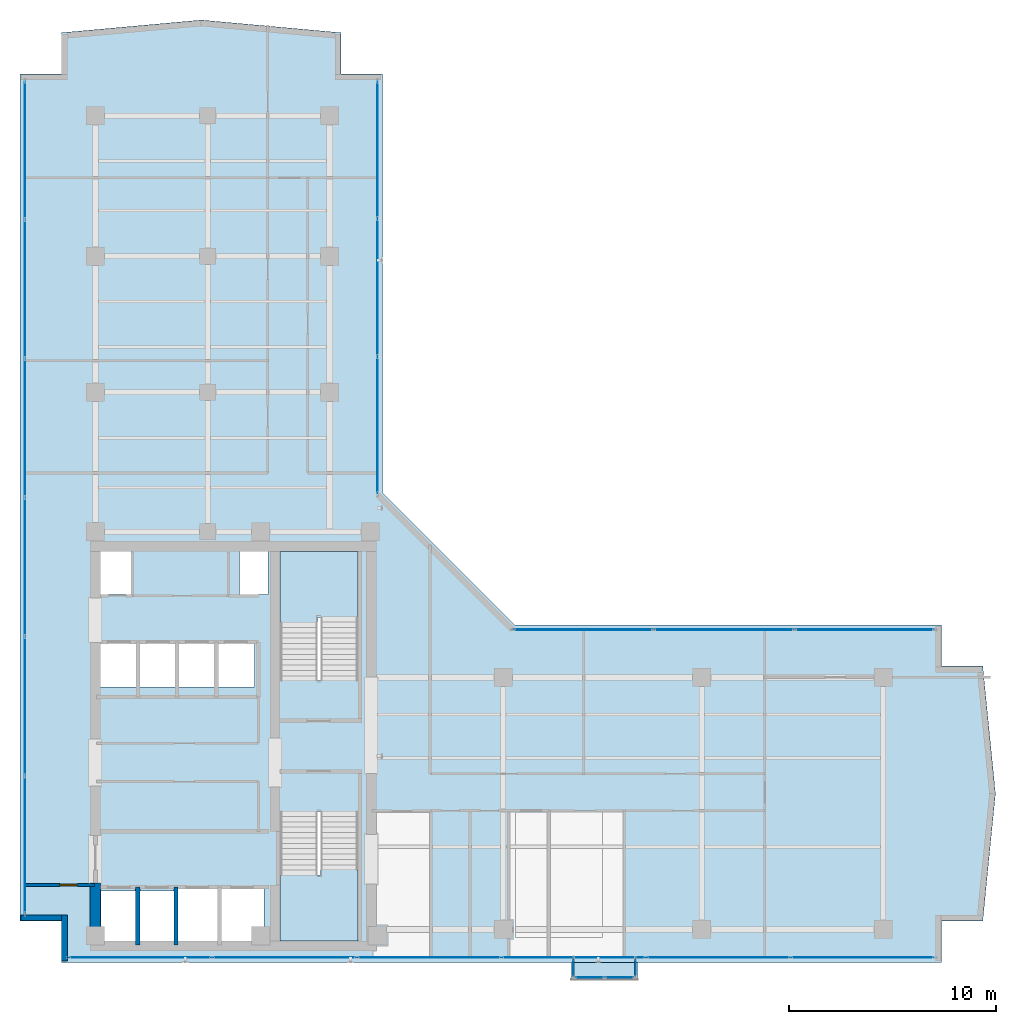
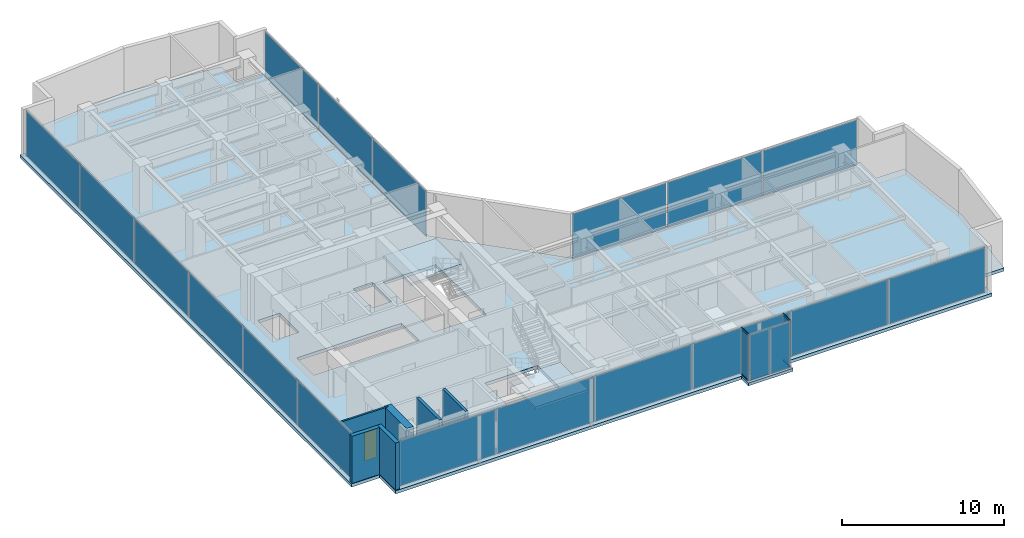
# One storey, part 16 of 22: 22 plates, 6 walls, 4 members, 4 slabs, 1 door, 1 opening, 9 elements without a shape of their own.
"""IFC4 building model written with IfcOpenShell, lengths in metres."""

from ifc_helpers import new_model, si_unit, direction, frame, frame_2d, origin, origin_with_axes, origin_2d, place, context, subcontext, project, spatial, polyline, rectangle, hollow_rectangle, outline, extrude, source, transform, mapped, material, layer, layer_set, material_profile, profile_set, type_object, element, fill, aggregate, save


model = new_model("IFC4")

# Units and contexts
model_context = context("Model", 3, precision=1e-05, world=origin(), true_north=direction((0.0, 1.0)))
body_context = subcontext(model_context, "Body", "Model", "MODEL_VIEW")
ifc_project = project(units=[si_unit("LENGTHUNIT", "METRE"), si_unit("AREAUNIT", "SQUARE_METRE"), si_unit("VOLUMEUNIT", "CUBIC_METRE"), si_unit("PLANEANGLEUNIT", "RADIAN"), si_unit("MASSUNIT", "GRAM", prefix="KILO")], contexts=[model_context])

# Site, building, storey
site_placement = place(None, origin())
site = spatial("IfcSite", under=ifc_project, at=site_placement, CompositionType="ELEMENT")
building_placement = place(site_placement, origin())
building = spatial("IfcBuilding", under=site, at=building_placement, Name="Kolvaren Waterfront Exchange", CompositionType="ELEMENT")
storey_placement = place(building_placement, frame((0.0, 0.0, 281.800048828125)))
storey = spatial("IfcBuildingStorey", under=building, at=storey_placement, Name="L72", CompositionType="ELEMENT", Elevation=281.800048828125)

# Curtain wall, members
ifc_material_1 = material(Name="Anodised bronze aluminium 6063-T6", Category="aluminium")
ifc_layer_1 = layer(ifc_material_1, 0.219970703125, Name="Anodised bronze aluminium 6063-T6")
ifc_layer_set_1 = layer_set([ifc_layer_1], Name="Anodised bronze aluminium 6063-T6")
curtain_wall_type_1 = type_object("IfcCurtainWallType", Name="ARC-CW-SYS3", PredefinedType="USERDEFINED", material=ifc_layer_set_1)
curtain_wall_1_placement = place(storey_placement, origin())
curtain_wall_1 = element("IfcCurtainWall", 1, at=curtain_wall_1_placement, inside=storey, type_object=curtain_wall_type_1, Name="L72 stick curtain wall CW3 (CW-L72-BOX-W)", ObjectType="STICK CURTAIN WALL", PredefinedType="USERDEFINED")
ifc_material_profile = material_profile(ifc_material_1, hollow_rectangle(XDim=0.06494140625, YDim=0.1298828125, WallThickness=0.00390625, at=origin_2d()), Name="ALU-TRN-130x65x4")
ifc_profile_set = profile_set([ifc_material_profile], Name="Anodised bronze aluminium 6063-T6")
member_type = type_object("IfcMemberType", Name="ARC-CWT-130", PredefinedType="USERDEFINED", material=ifc_profile_set)
shared_shape_1 = source(origin_with_axes(), body_context, "Body", "SweptSolid", [
    extrude(hollow_rectangle(XDim=0.06494140625, YDim=0.1298828125, WallThickness=0.00390625, at=origin_2d()), origin(), (0.0, 0.0, 1.0), 0.829833984375),
])
member_1_placement = place(storey_placement, frame((30.610107421875, 3.764892578125, 0.032470703125), z_axis=(0.0, -1.0, 0.0), x_axis=(1.0, 0.0, 0.0)))
member_1 = element("IfcMember", 2, at=member_1_placement, type_object=member_type, Name="CW3 transom 1.1", ObjectType="TRANSOM", PredefinedType="USERDEFINED", context=body_context, shape_type="MappedRepresentation", body=[
    mapped(shared_shape_1, transform((0.0, 0.0, 0.0), x_axis=(1.0, 0.0, 0.0), y_axis=(0.0, 1.0, 0.0), z_axis=(0.0, 0.0, 1.0), scale=1.0)),
])
member_2_placement = place(storey_placement, frame((30.610107421875, 3.764892578125, 3.52734375), z_axis=(0.0, -1.0, 0.0), x_axis=(1.0, 0.0, 0.0)))
member_2 = element("IfcMember", 3, at=member_2_placement, type_object=member_type, Name="CW3 transom 1.2", ObjectType="TRANSOM", PredefinedType="USERDEFINED", context=body_context, shape_type="MappedRepresentation", body=[
    mapped(shared_shape_1, transform((0.0, 0.0, 0.0), x_axis=(1.0, 0.0, 0.0), y_axis=(0.0, 1.0, 0.0), z_axis=(0.0, 0.0, 1.0), scale=1.0)),
])

curtain_wall_2_placement = place(storey_placement, origin())
curtain_wall_2 = element("IfcCurtainWall", 4, at=curtain_wall_2_placement, inside=storey, type_object=curtain_wall_type_1, Name="L72 stick curtain wall CW3 (CW-L72-BOX-E)", ObjectType="STICK CURTAIN WALL", PredefinedType="USERDEFINED")
member_3_placement = place(storey_placement, frame((33.590087890625, 2.93505859375, 0.032470703125), z_axis=(0.0, 1.0, 0.0), x_axis=(-1.0, 0.0, 0.0)))
member_3 = element("IfcMember", 5, at=member_3_placement, type_object=member_type, Name="CW3 transom 1.1", ObjectType="TRANSOM", PredefinedType="USERDEFINED", context=body_context, shape_type="MappedRepresentation", body=[
    mapped(shared_shape_1, transform((0.0, 0.0, 0.0), x_axis=(1.0, 0.0, 0.0), y_axis=(0.0, 1.0, 0.0), z_axis=(0.0, 0.0, 1.0), scale=1.0)),
])
member_4_placement = place(storey_placement, frame((33.590087890625, 2.93505859375, 3.52734375), z_axis=(0.0, 1.0, 0.0), x_axis=(-1.0, 0.0, 0.0)))
member_4 = element("IfcMember", 6, at=member_4_placement, type_object=member_type, Name="CW3 transom 1.2", ObjectType="TRANSOM", PredefinedType="USERDEFINED", context=body_context, shape_type="MappedRepresentation", body=[
    mapped(shared_shape_1, transform((0.0, 0.0, 0.0), x_axis=(1.0, 0.0, 0.0), y_axis=(0.0, 1.0, 0.0), z_axis=(0.0, 0.0, 1.0), scale=1.0)),
])

# Stair, slab
ifc_material_2 = material(Name="Concrete C40/50", Category="concrete")
stair_type = type_object("IfcStairType", Name="ARC-STAIR-3800", PredefinedType="HALF_TURN_STAIR", material=ifc_material_2)
stair_1_placement = place(storey_placement, origin())
stair_1 = element("IfcStair", 7, at=stair_1_placement, inside=storey, type_object=stair_type, Name="L72 Smoke-proof exit stair ST1", PredefinedType="HALF_TURN_STAIR")
ifc_layer_2 = layer(ifc_material_2, 0.199951171875, Name="Concrete C40/50")
ifc_layer_set_2 = layer_set([ifc_layer_2], Name="Concrete C40/50")
slab_type_1 = type_object("IfcSlabType", Name="STR-LANDING-200", PredefinedType="LANDING", material=ifc_layer_set_2)
slab_1_placement = place(storey_placement, frame((0.0, 0.0, 1.77587890625)))
slab_1 = element("IfcSlab", 8, at=slab_1_placement, type_object=slab_type_1, Name="ST1 landing 1", PredefinedType="LANDING", context=body_context, shape_type="SweptSolid", body=[
    extrude(outline(polyline([(16.39990234375, 7.840087890625), (16.39990234375, 4.64990234375), (20.159912109375, 4.64990234375), (20.159912109375, 8.10009765625), (18.360107421875, 8.10009765625), (18.360107421875, 7.840087890625), (16.39990234375, 7.840087890625)])), origin(), (0.0, 0.0, 1.0), 0.199951171875),
])
aggregate(stair_1, [slab_1])

stair_2_placement = place(storey_placement, origin())
stair_2 = element("IfcStair", 9, at=stair_2_placement, inside=storey, type_object=stair_type, Name="L72 Smoke-proof exit stair ST2", PredefinedType="HALF_TURN_STAIR")
slab_2_placement = place(storey_placement, frame((0.0, 0.0, 1.77587890625)))
slab_2 = element("IfcSlab", 10, at=slab_2_placement, type_object=slab_type_1, Name="ST2 landing 1", PredefinedType="LANDING", context=body_context, shape_type="SweptSolid", body=[
    extrude(outline(polyline([(20.159912109375, 20.31005859375), (20.159912109375, 23.5), (16.39990234375, 23.5), (16.39990234375, 20.050048828125), (18.199951171875, 20.050048828125), (18.199951171875, 20.31005859375), (20.159912109375, 20.31005859375)])), origin(), (0.0, 0.0, 1.0), 0.199951171875),
])
aggregate(stair_2, [slab_2])

# Slabs
ifc_layer_3 = layer(ifc_material_2, 0.239990234375, Name="Concrete C40/50")
ifc_layer_set_3 = layer_set([ifc_layer_3], Name="Concrete C40/50")
slab_type_2 = type_object("IfcSlabType", Name="STR-SLAB-240", PredefinedType="FLOOR", material=ifc_layer_set_3)
slab_3_placement = place(storey_placement, frame((0.0, 0.0, -0.239990234375)))
element("IfcSlab", 11, at=slab_3_placement, inside=storey, type_object=slab_type_2, Name="L72 structural floor slab", PredefinedType="FLOOR", context=body_context, shape_type="SweptSolid", body=[
    extrude(outline(polyline([(5.800048828125, 3.60009765625), (48.415771484375, 3.60009765625), (48.415771484375, 5.60009765625), (50.415771484375, 5.60009765625), (51.031494140625, 11.773681640625), (50.415771484375, 17.947509765625), (48.415771484375, 17.947509765625), (48.415771484375, 19.947509765625), (27.747314453125, 19.947509765625), (21.347412109375, 26.347412109375), (21.347412109375, 46.61572265625), (19.347412109375, 46.61572265625), (19.347412109375, 48.61572265625), (12.57373046875, 49.231689453125), (5.800048828125, 48.61572265625), (5.800048828125, 46.61572265625), (3.800048828125, 46.61572265625), (3.800048828125, 5.60009765625), (5.800048828125, 5.60009765625), (5.800048828125, 3.60009765625)]), holes=[polyline([(11.320068359375, 7.260009765625), (15.610107421875, 7.260009765625), (15.610107421875, 4.5400390625), (7.719970703125, 4.5400390625), (7.719970703125, 7.06005859375), (11.320068359375, 7.06005859375), (11.320068359375, 7.260009765625)]), polyline([(20.159912109375, 10.89990234375), (20.159912109375, 4.64990234375), (16.39990234375, 4.64990234375), (16.39990234375, 10.89990234375), (20.159912109375, 10.89990234375)]), polyline([(7.669921875, 19.06005859375), (15.159912109375, 19.06005859375), (15.159912109375, 16.93994140625), (7.669921875, 16.93994140625), (7.669921875, 19.06005859375)]), polyline([(16.39990234375, 17.25), (16.39990234375, 23.5), (20.159912109375, 23.5), (20.159912109375, 17.25), (16.39990234375, 17.25)]), polyline([(7.60009765625, 23.780029296875), (9.179931640625, 23.780029296875), (9.179931640625, 21.419921875), (7.60009765625, 21.419921875), (7.60009765625, 23.780029296875)]), polyline([(14.419921875, 23.780029296875), (15.800048828125, 23.780029296875), (15.800048828125, 21.419921875), (14.419921875, 21.419921875), (14.419921875, 23.780029296875)])]), origin(), (0.0, 0.0, 1.0), 0.239990234375),
])
ifc_layer_4 = layer(ifc_material_2, 0.219970703125, Name="Concrete C40/50")
ifc_layer_set_4 = layer_set([ifc_layer_4], Name="Concrete C40/50")
slab_type_3 = type_object("IfcSlabType", Name="STR-TERR-220", PredefinedType="FLOOR", material=ifc_layer_set_4)
slab_4_placement = place(storey_placement, frame((0.0, 0.0, -0.219970703125)))
element("IfcSlab", 12, at=slab_4_placement, inside=storey, type_object=slab_type_3, Name="L72 projecting bay-box floor strip", PredefinedType="FLOOR", context=body_context, shape_type="SweptSolid", body=[
    extrude(outline(polyline([(30.5, 2.75), (33.699951171875, 2.75), (33.699951171875, 3.60009765625), (30.5, 3.60009765625), (30.5, 2.75)])), origin(), (0.0, 0.0, 1.0), 0.219970703125),
])

# Plate
ifc_material_3 = material(Name="Bronze tinted bay-box vision glass", Category="aluminium")
ifc_layer_5 = layer(ifc_material_3, 0.02392578125, Name="Bronze tinted bay-box vision glass")
ifc_layer_set_5 = layer_set([ifc_layer_5], Name="Bronze tinted bay-box vision glass")
plate_type_1 = type_object("IfcPlateType", Name="ARC-CWP-24", PredefinedType="CURTAIN_PANEL", material=ifc_layer_set_5)
shared_shape_2 = source(origin_with_axes(), body_context, "Body", "SweptSolid", [
    extrude(rectangle(XDim=0.830078125, YDim=0.02392578125, at=origin_2d()), origin(), (0.0, 0.0, 1.0), 3.429931640625),
])
plate_1_placement = place(storey_placement, frame((30.610107421875, 3.35009765625, 0.06494140625), z_axis=(0.0, 0.0, 1.0), x_axis=(0.0, -1.0, 0.0)))
plate_1 = element("IfcPlate", 13, at=plate_1_placement, type_object=plate_type_1, Name="CW3 panel 1.1", PredefinedType="CURTAIN_PANEL", context=body_context, shape_type="MappedRepresentation", body=[
    mapped(shared_shape_2, transform((0.0, 0.0, 0.0), x_axis=(1.0, 0.0, 0.0), y_axis=(0.0, 1.0, 0.0), z_axis=(0.0, 0.0, 1.0), scale=1.0)),
])

aggregate(curtain_wall_1, [member_1, member_2, plate_1])

plate_2_placement = place(storey_placement, frame((33.590087890625, 3.35009765625, 0.06494140625), z_axis=(0.0, 0.0, 1.0), x_axis=(0.0, 1.0, 0.0)))
plate_2 = element("IfcPlate", 14, at=plate_2_placement, type_object=plate_type_1, Name="CW3 panel 1.1", PredefinedType="CURTAIN_PANEL", context=body_context, shape_type="MappedRepresentation", body=[
    mapped(shared_shape_2, transform((0.0, 0.0, 0.0), x_axis=(1.0, 0.0, 0.0), y_axis=(0.0, 1.0, 0.0), z_axis=(0.0, 0.0, 1.0), scale=1.0)),
])

aggregate(curtain_wall_2, [member_3, member_4, plate_2])

# Curtain wall, plates
curtain_wall_3_placement = place(storey_placement, origin())
curtain_wall_3 = element("IfcCurtainWall", 15, at=curtain_wall_3_placement, inside=storey, type_object=curtain_wall_type_1, Name="L72 stick curtain wall CW3 (CW-L72-BOX)", ObjectType="STICK CURTAIN WALL", PredefinedType="USERDEFINED")
shared_shape_3 = source(origin_with_axes(), body_context, "Body", "SweptSolid", [
    extrude(rectangle(XDim=1.37744140625, YDim=0.02392578125, at=origin_2d()), origin(), (0.0, 0.0, 1.0), 3.429931640625),
])
plate_3_placement = place(storey_placement, frame((31.373779296875, 2.860107421875, 0.06494140625), z_axis=(0.0, 0.0, 1.0), x_axis=(1.0, 0.0, 0.0)))
plate_3 = element("IfcPlate", 16, at=plate_3_placement, type_object=plate_type_1, Name="CW3 panel 1.1", PredefinedType="CURTAIN_PANEL", context=body_context, shape_type="MappedRepresentation", body=[
    mapped(shared_shape_3, transform((0.0, 0.0, 0.0), x_axis=(1.0, 0.0, 0.0), y_axis=(0.0, 1.0, 0.0), z_axis=(0.0, 0.0, 1.0), scale=1.0)),
])
plate_4_placement = place(storey_placement, frame((32.826171875, 2.860107421875, 0.06494140625), z_axis=(0.0, 0.0, 1.0), x_axis=(1.0, 0.0, 0.0)))
plate_4 = element("IfcPlate", 17, at=plate_4_placement, type_object=plate_type_1, Name="CW3 panel 2.1", PredefinedType="CURTAIN_PANEL", context=body_context, shape_type="MappedRepresentation", body=[
    mapped(shared_shape_3, transform((0.0, 0.0, 0.0), x_axis=(1.0, 0.0, 0.0), y_axis=(0.0, 1.0, 0.0), z_axis=(0.0, 0.0, 1.0), scale=1.0)),
])
aggregate(curtain_wall_3, [plate_3, plate_4])

ifc_layer_6 = layer(ifc_material_1, 0.219970703125, Name="Anodised bronze aluminium 6063-T6")
ifc_layer_set_6 = layer_set([ifc_layer_6], Name="Anodised bronze aluminium 6063-T6")
curtain_wall_type_2 = type_object("IfcCurtainWallType", Name="ARC-CW-SYS1", PredefinedType="USERDEFINED", material=ifc_layer_set_6)
curtain_wall_4_placement = place(storey_placement, origin())
curtain_wall_4 = element("IfcCurtainWall", 18, at=curtain_wall_4_placement, inside=storey, type_object=curtain_wall_type_2, Name="L72 stick curtain wall CW1 (CW-L72-S)", ObjectType="STICK CURTAIN WALL", PredefinedType="USERDEFINED")
ifc_material_4 = material(Name="Bronze solar control vision glass", Category="aluminium")
ifc_layer_7 = layer(ifc_material_4, 0.028076171875, Name="Bronze solar control vision glass")
ifc_layer_set_7 = layer_set([ifc_layer_7], Name="Bronze solar control vision glass")
plate_type_2 = type_object("IfcPlateType", Name="ARC-CWP-28", PredefinedType="CURTAIN_PANEL", material=ifc_layer_set_7)
shared_shape_4 = source(origin_with_axes(), body_context, "Body", "SweptSolid", [
    extrude(rectangle(XDim=6.882568359375, YDim=0.028076171875, at=origin_2d()), origin(), (0.0, 0.0, 1.0), 3.409912109375),
])
plate_5_placement = place(storey_placement, frame((9.621337890625, 3.840087890625, 0.0751953125), z_axis=(0.0, 0.0, 1.0), x_axis=(1.0, 0.0, 0.0)))
plate_5 = element("IfcPlate", 19, at=plate_5_placement, type_object=plate_type_2, Name="CW1 panel 1.1", PredefinedType="CURTAIN_PANEL", context=body_context, shape_type="MappedRepresentation", body=[
    mapped(shared_shape_4, transform((0.0, 0.0, 0.0), x_axis=(1.0, 0.0, 0.0), y_axis=(0.0, 1.0, 0.0), z_axis=(0.0, 0.0, 1.0), scale=1.0)),
])
plate_6_placement = place(storey_placement, frame((44.594482421875, 3.840087890625, 0.0751953125), z_axis=(0.0, 0.0, 1.0), x_axis=(1.0, 0.0, 0.0)))
plate_6 = element("IfcPlate", 20, at=plate_6_placement, type_object=plate_type_2, Name="CW1 panel 6.1", PredefinedType="CURTAIN_PANEL", context=body_context, shape_type="MappedRepresentation", body=[
    mapped(shared_shape_4, transform((0.0, 0.0, 0.0), x_axis=(1.0, 0.0, 0.0), y_axis=(0.0, 1.0, 0.0), z_axis=(0.0, 0.0, 1.0), scale=1.0)),
])
shared_shape_5 = source(origin_with_axes(), body_context, "Body", "SweptSolid", [
    extrude(rectangle(XDim=6.922607421875, YDim=0.028076171875, at=origin_2d()), origin(), (0.0, 0.0, 1.0), 3.409912109375),
])
plate_7_placement = place(storey_placement, frame((16.60400390625, 3.840087890625, 0.0751953125), z_axis=(0.0, 0.0, 1.0), x_axis=(1.0, 0.0, 0.0)))
plate_7 = element("IfcPlate", 21, at=plate_7_placement, type_object=plate_type_2, Name="CW1 panel 2.1", PredefinedType="CURTAIN_PANEL", context=body_context, shape_type="MappedRepresentation", body=[
    mapped(shared_shape_5, transform((0.0, 0.0, 0.0), x_axis=(1.0, 0.0, 0.0), y_axis=(0.0, 1.0, 0.0), z_axis=(0.0, 0.0, 1.0), scale=1.0)),
])
plate_8_placement = place(storey_placement, frame((23.606689453125, 3.840087890625, 0.0751953125), z_axis=(0.0, 0.0, 1.0), x_axis=(1.0, 0.0, 0.0)))
plate_8 = element("IfcPlate", 22, at=plate_8_placement, type_object=plate_type_2, Name="CW1 panel 3.1", PredefinedType="CURTAIN_PANEL", context=body_context, shape_type="MappedRepresentation", body=[
    mapped(shared_shape_5, transform((0.0, 0.0, 0.0), x_axis=(1.0, 0.0, 0.0), y_axis=(0.0, 1.0, 0.0), z_axis=(0.0, 0.0, 1.0), scale=1.0)),
])
plate_9_placement = place(storey_placement, frame((30.609130859375, 3.840087890625, 0.0751953125), z_axis=(0.0, 0.0, 1.0), x_axis=(1.0, 0.0, 0.0)))
plate_9 = element("IfcPlate", 23, at=plate_9_placement, type_object=plate_type_2, Name="CW1 panel 4.1", PredefinedType="CURTAIN_PANEL", context=body_context, shape_type="MappedRepresentation", body=[
    mapped(shared_shape_5, transform((0.0, 0.0, 0.0), x_axis=(1.0, 0.0, 0.0), y_axis=(0.0, 1.0, 0.0), z_axis=(0.0, 0.0, 1.0), scale=1.0)),
])
plate_10_placement = place(storey_placement, frame((37.61181640625, 3.840087890625, 0.0751953125), z_axis=(0.0, 0.0, 1.0), x_axis=(1.0, 0.0, 0.0)))
plate_10 = element("IfcPlate", 24, at=plate_10_placement, type_object=plate_type_2, Name="CW1 panel 5.1", PredefinedType="CURTAIN_PANEL", context=body_context, shape_type="MappedRepresentation", body=[
    mapped(shared_shape_5, transform((0.0, 0.0, 0.0), x_axis=(1.0, 0.0, 0.0), y_axis=(0.0, 1.0, 0.0), z_axis=(0.0, 0.0, 1.0), scale=1.0)),
])
aggregate(curtain_wall_4, [plate_5, plate_7, plate_8, plate_9, plate_10, plate_6])

ifc_material_5 = material(Name="Anodised aluminium 6063-T6", Category="aluminium")
ifc_layer_8 = layer(ifc_material_5, 0.219970703125, Name="Anodised aluminium 6063-T6")
ifc_layer_set_8 = layer_set([ifc_layer_8], Name="Anodised aluminium 6063-T6")
curtain_wall_type_3 = type_object("IfcCurtainWallType", Name="ARC-CW-SYS2", PredefinedType="USERDEFINED", material=ifc_layer_set_8)
curtain_wall_5_placement = place(storey_placement, origin())
curtain_wall_5 = element("IfcCurtainWall", 25, at=curtain_wall_5_placement, inside=storey, type_object=curtain_wall_type_3, Name="L72 stick curtain wall CW2 (CW-L72-W)", ObjectType="STICK CURTAIN WALL", PredefinedType="USERDEFINED")
ifc_material_6 = material(Name="Acoustic laminated vision glass", Category="glass")
ifc_layer_9 = layer(ifc_material_6, 0.031982421875, Name="Acoustic laminated vision glass")
ifc_layer_set_9 = layer_set([ifc_layer_9], Name="Acoustic laminated vision glass")
plate_type_3 = type_object("IfcPlateType", Name="ARC-CWP-32", PredefinedType="CURTAIN_PANEL", material=ifc_layer_set_9)
shared_shape_6 = source(origin_with_axes(), body_context, "Body", "SweptSolid", [
    extrude(rectangle(XDim=6.615966796875, YDim=0.031982421875, at=origin_2d()), origin(), (0.0, 0.0, 1.0), 3.409912109375),
])
plate_11_placement = place(storey_placement, frame((4.0400390625, 9.2880859375, 0.0751953125), z_axis=(0.0, 0.0, 1.0), x_axis=(0.0, 1.0, 0.0)))
plate_11 = element("IfcPlate", 26, at=plate_11_placement, type_object=plate_type_3, Name="CW2 panel 1.1", PredefinedType="CURTAIN_PANEL", context=body_context, shape_type="MappedRepresentation", body=[
    mapped(shared_shape_6, transform((0.0, 0.0, 0.0), x_axis=(1.0, 0.0, 0.0), y_axis=(0.0, 1.0, 0.0), z_axis=(0.0, 0.0, 1.0), scale=1.0)),
])
plate_12_placement = place(storey_placement, frame((4.0400390625, 42.927734375, 0.0751953125), z_axis=(0.0, 0.0, 1.0), x_axis=(0.0, 1.0, 0.0)))
plate_12 = element("IfcPlate", 27, at=plate_12_placement, type_object=plate_type_3, Name="CW2 panel 6.1", PredefinedType="CURTAIN_PANEL", context=body_context, shape_type="MappedRepresentation", body=[
    mapped(shared_shape_6, transform((0.0, 0.0, 0.0), x_axis=(1.0, 0.0, 0.0), y_axis=(0.0, 1.0, 0.0), z_axis=(0.0, 0.0, 1.0), scale=1.0)),
])
shared_shape_7 = source(origin_with_axes(), body_context, "Body", "SweptSolid", [
    extrude(rectangle(XDim=6.656005859375, YDim=0.031982421875, at=origin_2d()), origin(), (0.0, 0.0, 1.0), 3.409912109375),
])
plate_13_placement = place(storey_placement, frame((4.0400390625, 16.00390625, 0.0751953125), z_axis=(0.0, 0.0, 1.0), x_axis=(0.0, 1.0, 0.0)))
plate_13 = element("IfcPlate", 28, at=plate_13_placement, type_object=plate_type_3, Name="CW2 panel 2.1", PredefinedType="CURTAIN_PANEL", context=body_context, shape_type="MappedRepresentation", body=[
    mapped(shared_shape_7, transform((0.0, 0.0, 0.0), x_axis=(1.0, 0.0, 0.0), y_axis=(0.0, 1.0, 0.0), z_axis=(0.0, 0.0, 1.0), scale=1.0)),
])
plate_14_placement = place(storey_placement, frame((4.0400390625, 22.739990234375, 0.0751953125), z_axis=(0.0, 0.0, 1.0), x_axis=(0.0, 1.0, 0.0)))
plate_14 = element("IfcPlate", 29, at=plate_14_placement, type_object=plate_type_3, Name="CW2 panel 3.1", PredefinedType="CURTAIN_PANEL", context=body_context, shape_type="MappedRepresentation", body=[
    mapped(shared_shape_7, transform((0.0, 0.0, 0.0), x_axis=(1.0, 0.0, 0.0), y_axis=(0.0, 1.0, 0.0), z_axis=(0.0, 0.0, 1.0), scale=1.0)),
])
plate_15_placement = place(storey_placement, frame((4.0400390625, 29.475830078125, 0.0751953125), z_axis=(0.0, 0.0, 1.0), x_axis=(0.0, 1.0, 0.0)))
plate_15 = element("IfcPlate", 30, at=plate_15_placement, type_object=plate_type_3, Name="CW2 panel 4.1", PredefinedType="CURTAIN_PANEL", context=body_context, shape_type="MappedRepresentation", body=[
    mapped(shared_shape_7, transform((0.0, 0.0, 0.0), x_axis=(1.0, 0.0, 0.0), y_axis=(0.0, 1.0, 0.0), z_axis=(0.0, 0.0, 1.0), scale=1.0)),
])
plate_16_placement = place(storey_placement, frame((4.0400390625, 36.2119140625, 0.0751953125), z_axis=(0.0, 0.0, 1.0), x_axis=(0.0, 1.0, 0.0)))
plate_16 = element("IfcPlate", 31, at=plate_16_placement, type_object=plate_type_3, Name="CW2 panel 5.1", PredefinedType="CURTAIN_PANEL", context=body_context, shape_type="MappedRepresentation", body=[
    mapped(shared_shape_7, transform((0.0, 0.0, 0.0), x_axis=(1.0, 0.0, 0.0), y_axis=(0.0, 1.0, 0.0), z_axis=(0.0, 0.0, 1.0), scale=1.0)),
])
aggregate(curtain_wall_5, [plate_11, plate_13, plate_14, plate_15, plate_16, plate_12])

curtain_wall_6_placement = place(storey_placement, origin())
curtain_wall_6 = element("IfcCurtainWall", 32, at=curtain_wall_6_placement, inside=storey, type_object=curtain_wall_type_2, Name="L72 stick curtain wall CW1 (CW-L72-NE)", ObjectType="STICK CURTAIN WALL", PredefinedType="USERDEFINED")
shared_shape_8 = source(origin_with_axes(), body_context, "Body", "SweptSolid", [
    extrude(rectangle(XDim=6.57275390625, YDim=0.028076171875, at=origin_2d()), origin(), (0.0, 0.0, 1.0), 3.409912109375),
])
plate_17_placement = place(storey_placement, frame((21.107421875, 29.603759765625, 0.0751953125), z_axis=(0.0, 0.0, 1.0), x_axis=(0.0, 1.0, 0.0)))
plate_17 = element("IfcPlate", 33, at=plate_17_placement, type_object=plate_type_2, Name="CW1 panel 1.1", PredefinedType="CURTAIN_PANEL", context=body_context, shape_type="MappedRepresentation", body=[
    mapped(shared_shape_8, transform((0.0, 0.0, 0.0), x_axis=(1.0, 0.0, 0.0), y_axis=(0.0, 1.0, 0.0), z_axis=(0.0, 0.0, 1.0), scale=1.0)),
])
plate_18_placement = place(storey_placement, frame((21.107421875, 42.949462890625, 0.0751953125), z_axis=(0.0, 0.0, 1.0), x_axis=(0.0, 1.0, 0.0)))
plate_18 = element("IfcPlate", 34, at=plate_18_placement, type_object=plate_type_2, Name="CW1 panel 3.1", PredefinedType="CURTAIN_PANEL", context=body_context, shape_type="MappedRepresentation", body=[
    mapped(shared_shape_8, transform((0.0, 0.0, 0.0), x_axis=(1.0, 0.0, 0.0), y_axis=(0.0, 1.0, 0.0), z_axis=(0.0, 0.0, 1.0), scale=1.0)),
])
shared_shape_9 = source(origin_with_axes(), body_context, "Body", "SweptSolid", [
    extrude(rectangle(XDim=6.61279296875, YDim=0.028076171875, at=origin_2d()), origin(), (0.0, 0.0, 1.0), 3.409912109375),
])
plate_19_placement = place(storey_placement, frame((21.107421875, 36.276611328125, 0.0751953125), z_axis=(0.0, 0.0, 1.0), x_axis=(0.0, 1.0, 0.0)))
plate_19 = element("IfcPlate", 35, at=plate_19_placement, type_object=plate_type_2, Name="CW1 panel 2.1", PredefinedType="CURTAIN_PANEL", context=body_context, shape_type="MappedRepresentation", body=[
    mapped(shared_shape_9, transform((0.0, 0.0, 0.0), x_axis=(1.0, 0.0, 0.0), y_axis=(0.0, 1.0, 0.0), z_axis=(0.0, 0.0, 1.0), scale=1.0)),
])
aggregate(curtain_wall_6, [plate_17, plate_19, plate_18])

curtain_wall_7_placement = place(storey_placement, origin())
curtain_wall_7 = element("IfcCurtainWall", 36, at=curtain_wall_7_placement, inside=storey, type_object=curtain_wall_type_2, Name="L72 stick curtain wall CW1 (CW-L72-EN)", ObjectType="STICK CURTAIN WALL", PredefinedType="USERDEFINED")
shared_shape_10 = source(origin_with_axes(), body_context, "Body", "SweptSolid", [
    extrude(rectangle(XDim=6.7060546875, YDim=0.028076171875, at=origin_2d()), origin(), (0.0, 0.0, 1.0), 3.409912109375),
])
plate_20_placement = place(storey_placement, frame((31.070556640625, 19.70751953125, 0.0751953125), z_axis=(0.0, 0.0, 1.0), x_axis=(1.0, 0.0, 0.0)))
plate_20 = element("IfcPlate", 37, at=plate_20_placement, type_object=plate_type_2, Name="CW1 panel 1.1", PredefinedType="CURTAIN_PANEL", context=body_context, shape_type="MappedRepresentation", body=[
    mapped(shared_shape_10, transform((0.0, 0.0, 0.0), x_axis=(1.0, 0.0, 0.0), y_axis=(0.0, 1.0, 0.0), z_axis=(0.0, 0.0, 1.0), scale=1.0)),
])
plate_21_placement = place(storey_placement, frame((44.6826171875, 19.70751953125, 0.0751953125), z_axis=(0.0, 0.0, 1.0), x_axis=(1.0, 0.0, 0.0)))
plate_21 = element("IfcPlate", 38, at=plate_21_placement, type_object=plate_type_2, Name="CW1 panel 3.1", PredefinedType="CURTAIN_PANEL", context=body_context, shape_type="MappedRepresentation", body=[
    mapped(shared_shape_10, transform((0.0, 0.0, 0.0), x_axis=(1.0, 0.0, 0.0), y_axis=(0.0, 1.0, 0.0), z_axis=(0.0, 0.0, 1.0), scale=1.0)),
])
shared_shape_11 = source(origin_with_axes(), body_context, "Body", "SweptSolid", [
    extrude(rectangle(XDim=6.74609375, YDim=0.028076171875, at=origin_2d()), origin(), (0.0, 0.0, 1.0), 3.409912109375),
])
plate_22_placement = place(storey_placement, frame((37.876708984375, 19.70751953125, 0.0751953125), z_axis=(0.0, 0.0, 1.0), x_axis=(1.0, 0.0, 0.0)))
plate_22 = element("IfcPlate", 39, at=plate_22_placement, type_object=plate_type_2, Name="CW1 panel 2.1", PredefinedType="CURTAIN_PANEL", context=body_context, shape_type="MappedRepresentation", body=[
    mapped(shared_shape_11, transform((0.0, 0.0, 0.0), x_axis=(1.0, 0.0, 0.0), y_axis=(0.0, 1.0, 0.0), z_axis=(0.0, 0.0, 1.0), scale=1.0)),
])
aggregate(curtain_wall_7, [plate_20, plate_22, plate_21])

# Walls
ifc_material_7 = material(Name="Precast concrete C40/50", Category="concrete")
ifc_layer_10 = layer(ifc_material_7, 0.280029296875, Name="Precast concrete C40/50")
ifc_layer_set_10 = layer_set([ifc_layer_10], Name="Precast concrete C40/50")
wall_type_1 = type_object("IfcWallType", Name="ARC-EXT-TERR-280", PredefinedType="SOLIDWALL", material=ifc_layer_set_10)
wall_1_placement = place(storey_placement, frame((5.9599609375, 3.659912109375, 0.0), z_axis=(0.0, 0.0, 1.0), x_axis=(0.0, 1.0, 0.0)))
element("IfcWall", 40, at=wall_1_placement, inside=storey, type_object=wall_type_1, Name="L72 notched corner spandrel pier SW-A", PredefinedType="SOLIDWALL", context=body_context, shape_type="SweptSolid", body=[
    extrude(rectangle(XDim=2.239990234375, YDim=0.280029296875, at=frame_2d((1.1201171875, 0.0))), origin(), (0.0, 0.0, 1.0), 3.56005859375),
])
wall_2_placement = place(storey_placement, frame((3.860107421875, 5.760009765625, 0.0), z_axis=(0.0, 0.0, 1.0), x_axis=(1.0, 0.0, 0.0)))
element("IfcWall", 41, at=wall_2_placement, inside=storey, type_object=wall_type_1, Name="L72 notched corner spandrel pier SW-B", PredefinedType="SOLIDWALL", context=body_context, shape_type="SweptSolid", body=[
    extrude(rectangle(XDim=1.9599609375, YDim=0.280029296875, at=frame_2d((0.97998046875, 0.0))), origin(), (0.0, 0.0, 1.0), 3.56005859375),
])

# Wall, opening, door
ifc_material_8 = material(Name="Acoustic gypsum steel stud", Category="steel")
ifc_layer_11 = layer(ifc_material_8, 0.125, Name="Acoustic gypsum steel stud")
ifc_layer_set_11 = layer_set([ifc_layer_11], Name="Acoustic gypsum steel stud")
wall_type_2 = type_object("IfcWallType", Name="ARC-PART-125", PredefinedType="PARTITIONING", material=ifc_layer_set_11)
wall_3_placement = place(storey_placement, frame((4.0400390625, 7.35009765625, 0.0), z_axis=(0.0, 0.0, 1.0), x_axis=(1.0, 0.0, 0.0)))
wall_3 = element("IfcWall", 42, at=wall_3_placement, inside=storey, type_object=wall_type_2, Name="L72 interior wall PW-L72-SWC-N", PredefinedType="PARTITIONING", context=body_context, shape_type="SweptSolid", body=[
    extrude(rectangle(XDim=3.35986328125, YDim=0.125, at=frame_2d((1.679931640625, 0.0))), origin(), (0.0, 0.0, 1.0), 3.56005859375),
])
opening_placement = place(wall_3_placement, frame((1.686767578125, 0.0, 0.0)))
opening = element("IfcOpeningElement", 43, at=opening_placement, cuts=wall_3, Name="Opening D01", PredefinedType="OPENING", context=body_context, shape_type="SweptSolid", body=[
    extrude(rectangle(XDim=0.85009765625, YDim=2.14990234375, at=frame_2d((0.425048828125, 1.074951171875))), frame((0.0, 0.072509765625, 0.0), z_axis=(0.0, -1.0, 0.0), x_axis=(1.0, 0.0, 0.0)), (0.0, 0.0, 1.0), 0.14501953125),
])
ifc_material_9 = material(Name="Oak veneer timber leaf", Category="wood")
door_type = type_object("IfcDoorType", Name="ARC-DR-900", OperationType="NOTDEFINED", PredefinedType="DOOR", material=ifc_material_9)
door_placement = place(opening_placement, origin())
door = element("IfcDoor", 44, at=door_placement, inside=storey, type_object=door_type, Name="L72 door DR-L72-SWC-D (D01)", OperationType="SINGLE_SWING_RIGHT", OverallHeight=2.14990234375, OverallWidth=0.85009765625, PredefinedType="DOOR", context=body_context, shape_type="SweptSolid", body=[
    extrude(rectangle(XDim=0.85009765625, YDim=2.14990234375, at=frame_2d((0.425048828125, 1.074951171875))), frame((0.0, 0.02490234375, 0.0), z_axis=(0.0, -1.0, 0.0), x_axis=(1.0, 0.0, 0.0)), (0.0, 0.0, 1.0), 0.050048828125),
])
fill(opening, door)

# Walls
ifc_layer_12 = layer(ifc_material_2, 0.199951171875, Name="Concrete C40/50")
ifc_layer_set_12 = layer_set([ifc_layer_12], Name="Concrete C40/50")
wall_type_3 = type_object("IfcWallType", Name="ARC-SHAFT-200", PredefinedType="PARTITIONING", material=ifc_layer_set_12)
for number, where, z_axis, x_axis, name in (
    (45, (9.5, 4.449951171875, 0.0), (0.0, 0.0, 1.0), (0.0, 1.0, 0.0), "L72 interior wall PW-L72-SH1-DIV-95"),
    (46, (11.360107421875, 4.449951171875, 0.0), (0.0, 0.0, 1.0), (0.0, 1.0, 0.0), "L72 interior wall PW-L72-SH1-DIV-113"),
):
    element("IfcWall", number, at=place(storey_placement, frame(where, z_axis=z_axis, x_axis=x_axis)), inside=storey, type_object=wall_type_3, Name=name, PredefinedType="PARTITIONING", context=body_context, shape_type="SweptSolid", body=[
        extrude(rectangle(XDim=2.800048828125, YDim=0.199951171875, at=frame_2d((1.39990234375, 0.0))), origin(), (0.0, 0.0, 1.0), 3.56005859375),
    ])
ifc_material_10 = material(Name="Concrete C50/60", Category="concrete")
ifc_layer_13 = layer(ifc_material_10, 0.5, Name="Concrete C50/60")
ifc_layer_set_13 = layer_set([ifc_layer_13], Name="Concrete C50/60")
wall_type_4 = type_object("IfcWallType", Name="STR-CWALL-500", PredefinedType="SHEAR", material=ifc_layer_set_13)
wall_4_placement = place(storey_placement, frame((7.449951171875, 4.64990234375, 0.0), z_axis=(0.0, 0.0, 1.0), x_axis=(0.0, 1.0, 0.0)))
element("IfcWall", 47, at=wall_4_placement, inside=storey, type_object=wall_type_4, Name="L72 rear-core shear wall W1", PredefinedType="SHEAR", context=body_context, shape_type="SweptSolid", body=[
    extrude(rectangle(XDim=2.800048828125, YDim=0.5, at=frame_2d((1.39990234375, 0.0))), origin(), (0.0, 0.0, 1.0), 3.56005859375),
])

save(model, "model.ifc")
